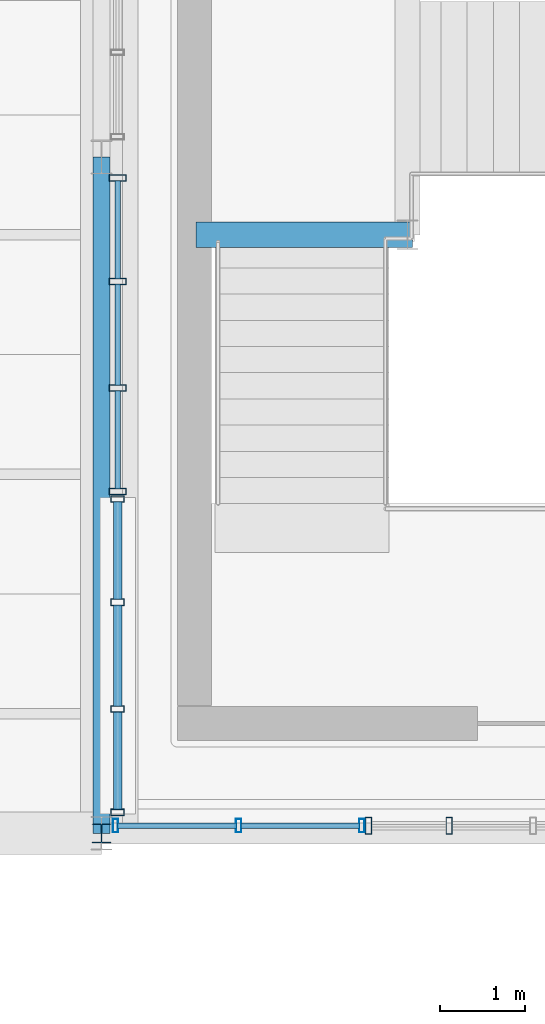
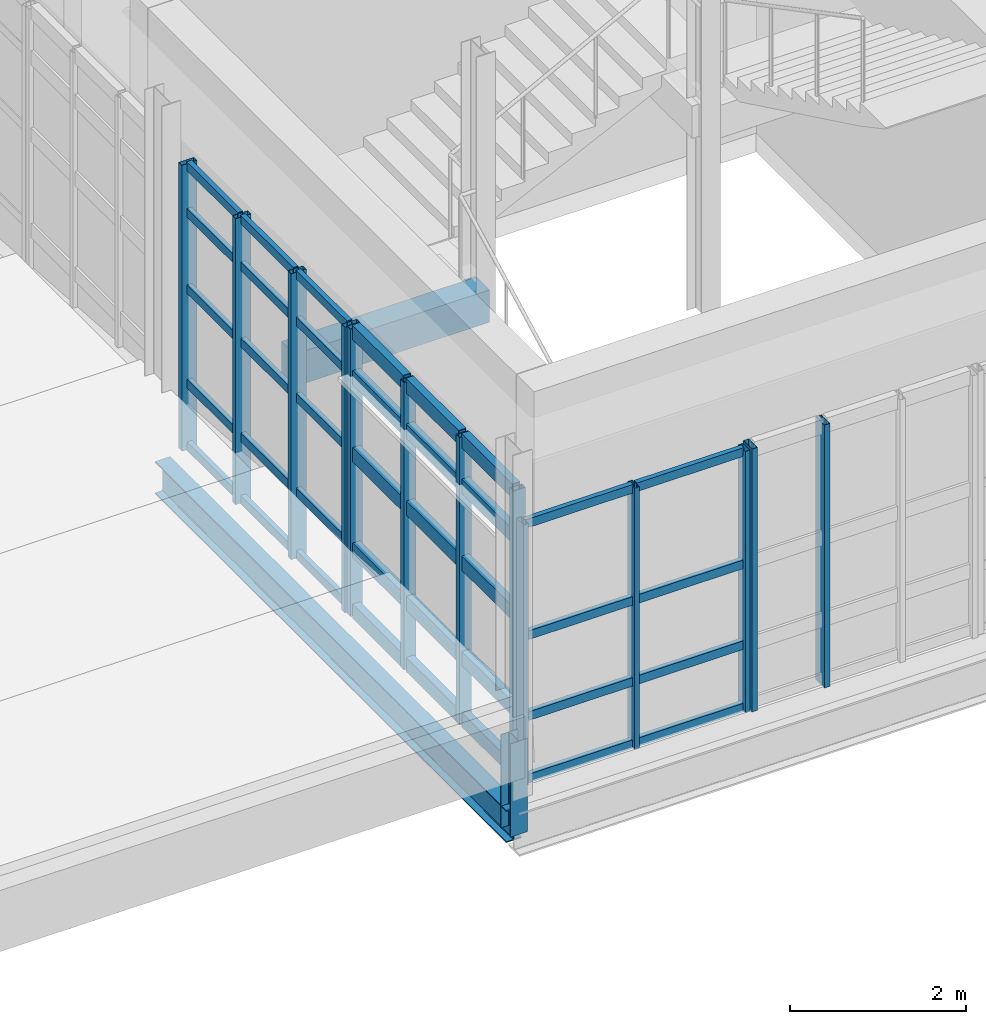
# One storey, part 49 of 100: 52 members, 2 beams, 4 elements without a shape of their own.
"""IFC4 building model written with IfcOpenShell, lengths in metres."""

from ifc_helpers import new_model, si_unit, derived_unit, direction, frame, origin, origin_2d, place, context, subcontext, project, spatial, rectangle, hollow_rectangle, i_section, extrude, material, layer, layer_set, material_profile, profile_set, type_object, element, aggregate, save


model = new_model("IFC4")

# Units and contexts
model_context = context("Model", 3, precision=1e-05, world=origin(), true_north=direction((0.0, 1.0)))
body_context = subcontext(model_context, "Body", "Model", "MODEL_VIEW")
ifc_project = project(units=[si_unit("LENGTHUNIT", "METRE"), si_unit("AREAUNIT", "SQUARE_METRE"), si_unit("VOLUMEUNIT", "CUBIC_METRE"), si_unit("PLANEANGLEUNIT", "RADIAN"), si_unit("MASSUNIT", "GRAM", prefix="KILO"), derived_unit("THERMALTRANSMITTANCEUNIT", [(si_unit("POWERUNIT", "WATT"), 1), (si_unit("LENGTHUNIT", "METRE"), -2), (si_unit("THERMODYNAMICTEMPERATUREUNIT", "KELVIN"), -1)])], contexts=[model_context])

# Site, building, storey
site_placement = place(None, origin())
site = spatial("IfcSite", under=ifc_project, at=site_placement, CompositionType="ELEMENT")
building_placement = place(site_placement, origin())
building = spatial("IfcBuilding", under=site, at=building_placement, Name="Nallur Shell Playhouse", CompositionType="ELEMENT")
storey_placement = place(building_placement, frame((0.0, 0.0, 10.199951171875)))
storey = spatial("IfcBuildingStorey", under=building, at=storey_placement, Name="L03", CompositionType="ELEMENT", Elevation=10.199951171875)

# Beams
ifc_material_1 = material(Name="Concrete M35", Category="concrete")
ifc_material_profile_1 = material_profile(ifc_material_1, rectangle(XDim=0.300048828125, YDim=0.449951171875, at=origin_2d()), Name="RC 300x450")
ifc_profile_set_1 = profile_set([ifc_material_profile_1], Name="Concrete M35")
beam_type_1 = type_object("IfcBeamType", Name="BM-SPN-300x450", PredefinedType="SPANDREL", material=ifc_profile_set_1)
beam_1_placement = place(storey_placement, frame((148.719970703125, 31.080078125, 1.22509765625), z_axis=(1.0, 0.0, 0.0), x_axis=(0.0, 1.0, 0.0)))
element("IfcBeam", 1, at=beam_1_placement, inside=storey, type_object=beam_type_1, Name="Stair ST-08-L03 L1 south bearer beam", PredefinedType="SPANDREL", context=body_context, shape_type="SweptSolid", body=[
    extrude(rectangle(XDim=0.300048828125, YDim=0.449951171875, at=origin_2d()), origin(), (0.0, 0.0, 1.0), 2.56005859375),
])
ifc_material_2 = material(Name="Steel E350", Category="steel")
ifc_material_profile_2 = material_profile(ifc_material_2, i_section(OverallWidth=0.199951171875, OverallDepth=0.449951171875, WebThickness=0.00927734375, FlangeThickness=0.015380859375, FilletRadius=0.013916015625, at=origin_2d()), Name="ISWB 450")
ifc_profile_set_2 = profile_set([ifc_material_profile_2], Name="Steel E350")
beam_type_2 = type_object("IfcBeamType", Name="BM-ST-ISWB450", PredefinedType="BEAM", material=ifc_profile_set_2)
beam_2_placement = place(storey_placement, frame((147.60009765625, 24.0, -0.48486328125), z_axis=(0.0, 1.0, 0.0), x_axis=(-1.0, 0.0, 0.0)))
element("IfcBeam", 2, at=beam_2_placement, inside=storey, type_object=beam_type_2, Name="L03 girder Y-18-676", PredefinedType="BEAM", context=body_context, shape_type="SweptSolid", body=[
    extrude(i_section(OverallWidth=0.199951171875, OverallDepth=0.449951171875, WebThickness=0.00927734375, FlangeThickness=0.015380859375, FilletRadius=0.013916015625, at=origin_2d()), origin(), (0.0, 0.0, 1.0), 8.0),
])

# Curtain wall, members
ifc_material_3 = material(Name="Anodised Aluminium Double-Glazed Facade System", Category="aluminium")
ifc_layer_1 = layer(ifc_material_3, 0.176025390625)
ifc_layer_set_1 = layer_set([ifc_layer_1], Name="Anodised Aluminium Double-Glazed Facade System")
curtain_wall_type_1 = type_object("IfcCurtainWallType", Name="CW-UNIT-28", PredefinedType="NOTDEFINED", material=ifc_layer_set_1)
curtain_wall_1_placement = place(storey_placement, origin())
curtain_wall_1 = element("IfcCurtainWall", 3, at=curtain_wall_1_placement, inside=storey, type_object=curtain_wall_type_1, Name="Unitised curtain wall CW-092 (L03)", PredefinedType="NOTDEFINED")
ifc_material_4 = material(Name="Aluminium Alloy 6063-T6 Mullion", Category="aluminium")
ifc_material_profile_3 = material_profile(ifc_material_4, hollow_rectangle(XDim=0.080078125, YDim=0.159912109375, WallThickness=0.006103515625, at=origin_2d()), Name="RHS 160x80x6")
ifc_profile_set_3 = profile_set([ifc_material_profile_3], Name="Aluminium Alloy 6063-T6 Mullion")
member_type_1 = type_object("IfcMemberType", Name="MB-CW-MUL150", PredefinedType="MULLION", material=ifc_profile_set_3)
member_1_placement = place(storey_placement, frame((147.7900390625, 24.248046875, -0.014892578125), z_axis=(0.0, 0.0, 1.0), x_axis=(0.0, 1.0, 0.0)))
member_1 = element("IfcMember", 4, at=member_1_placement, type_object=member_type_1, Name="CW-28 mullion 1", PredefinedType="MULLION", context=body_context, shape_type="SweptSolid", body=[
    extrude(hollow_rectangle(XDim=0.080078125, YDim=0.159912109375, WallThickness=0.006103515625, at=origin_2d()), origin(), (0.0, 0.0, 1.0), 3.993896484375),
])
member_2_placement = place(storey_placement, frame((147.7900390625, 25.47021484375, -0.014892578125), z_axis=(0.0, 0.0, 1.0), x_axis=(0.0, 1.0, 0.0)))
member_2 = element("IfcMember", 5, at=member_2_placement, type_object=member_type_1, Name="CW-28 mullion 2", PredefinedType="MULLION", context=body_context, shape_type="SweptSolid", body=[
    extrude(hollow_rectangle(XDim=0.080078125, YDim=0.159912109375, WallThickness=0.006103515625, at=origin_2d()), origin(), (0.0, 0.0, 1.0), 3.993896484375),
])
member_3_placement = place(storey_placement, frame((147.7900390625, 26.732666015625, -0.014892578125), z_axis=(0.0, 0.0, 1.0), x_axis=(0.0, 1.0, 0.0)))
member_3 = element("IfcMember", 6, at=member_3_placement, type_object=member_type_1, Name="CW-28 mullion 3", PredefinedType="MULLION", context=body_context, shape_type="SweptSolid", body=[
    extrude(hollow_rectangle(XDim=0.080078125, YDim=0.159912109375, WallThickness=0.006103515625, at=origin_2d()), origin(), (0.0, 0.0, 1.0), 3.993896484375),
])
member_4_placement = place(storey_placement, frame((147.7900390625, 27.955078125, -0.014892578125), z_axis=(0.0, 0.0, 1.0), x_axis=(0.0, 1.0, 0.0)))
member_4 = element("IfcMember", 7, at=member_4_placement, type_object=member_type_1, Name="CW-28 mullion 4", PredefinedType="MULLION", context=body_context, shape_type="SweptSolid", body=[
    extrude(hollow_rectangle(XDim=0.080078125, YDim=0.159912109375, WallThickness=0.006103515625, at=origin_2d()), origin(), (0.0, 0.0, 1.0), 3.993896484375),
])

ifc_layer_2 = layer(ifc_material_3, 0.172119140625)
ifc_layer_set_2 = layer_set([ifc_layer_2], Name="Anodised Aluminium Double-Glazed Facade System")
curtain_wall_type_2 = type_object("IfcCurtainWallType", Name="CW-UNIT-27", PredefinedType="NOTDEFINED", material=ifc_layer_set_2)
curtain_wall_2_placement = place(storey_placement, origin())
curtain_wall_2 = element("IfcCurtainWall", 8, at=curtain_wall_2_placement, inside=storey, type_object=curtain_wall_type_2, Name="Unitised curtain wall CW-091 (L03)", PredefinedType="NOTDEFINED")
ifc_material_profile_4 = material_profile(ifc_material_4, hollow_rectangle(XDim=0.06494140625, YDim=0.159912109375, WallThickness=0.00390625, at=origin_2d()), Name="ALU 65x160x4")
ifc_profile_set_4 = profile_set([ifc_material_profile_4], Name="Aluminium Alloy 6063-T6 Mullion")
member_type_2 = type_object("IfcMemberType", Name="MB-CW-MUL160", PredefinedType="MULLION", material=ifc_profile_set_4)
member_5_placement = place(storey_placement, frame((150.678955078125, 24.090087890625, -0.014892578125), z_axis=(0.0, 0.0, 1.0), x_axis=(-1.0, 0.0, 0.0)))
member_5 = element("IfcMember", 9, at=member_5_placement, type_object=member_type_2, Name="CW-27 mullion 1", PredefinedType="MULLION", context=body_context, shape_type="SweptSolid", body=[
    extrude(hollow_rectangle(XDim=0.06494140625, YDim=0.159912109375, WallThickness=0.00390625, at=origin_2d()), origin(), (0.0, 0.0, 1.0), 3.634033203125),
])
member_6_placement = place(storey_placement, frame((149.22216796875, 24.090087890625, -0.014892578125), z_axis=(0.0, 0.0, 1.0), x_axis=(-1.0, 0.0, 0.0)))
member_6 = element("IfcMember", 10, at=member_6_placement, type_object=member_type_2, Name="CW-27 mullion 2", PredefinedType="MULLION", context=body_context, shape_type="SweptSolid", body=[
    extrude(hollow_rectangle(XDim=0.06494140625, YDim=0.159912109375, WallThickness=0.00390625, at=origin_2d()), origin(), (0.0, 0.0, 1.0), 3.634033203125),
])
member_7_placement = place(storey_placement, frame((147.765380859375, 24.090087890625, -0.014892578125), z_axis=(0.0, 0.0, 1.0), x_axis=(-1.0, 0.0, 0.0)))
member_7 = element("IfcMember", 11, at=member_7_placement, type_object=member_type_2, Name="CW-27 mullion 3", PredefinedType="MULLION", context=body_context, shape_type="SweptSolid", body=[
    extrude(hollow_rectangle(XDim=0.06494140625, YDim=0.159912109375, WallThickness=0.00390625, at=origin_2d()), origin(), (0.0, 0.0, 1.0), 3.634033203125),
])

ifc_layer_3 = layer(ifc_material_3, 0.16796875)
ifc_layer_set_3 = layer_set([ifc_layer_3], Name="Anodised Aluminium Double-Glazed Facade System")
curtain_wall_type_3 = type_object("IfcCurtainWallType", Name="CW-UNIT-26", PredefinedType="NOTDEFINED", material=ifc_layer_set_3)
curtain_wall_3_placement = place(storey_placement, origin())
curtain_wall_3 = element("IfcCurtainWall", 12, at=curtain_wall_3_placement, inside=storey, type_object=curtain_wall_type_3, Name="Unitised curtain wall CW-090 (L03)", PredefinedType="NOTDEFINED")
ifc_material_profile_5 = material_profile(ifc_material_4, hollow_rectangle(XDim=0.074951171875, YDim=0.199951171875, WallThickness=0.0048828125, at=origin_2d()), Name="ALU 75x200x5")
ifc_profile_set_5 = profile_set([ifc_material_profile_5], Name="Aluminium Alloy 6063-T6 Mullion")
member_type_3 = type_object("IfcMemberType", Name="MB-CW-MUL180", PredefinedType="MULLION", material=ifc_profile_set_5)
member_8_placement = place(storey_placement, frame((151.712646484375, 24.090087890625, -0.014892578125), z_axis=(0.0, 0.0, 1.0), x_axis=(-1.0, 0.0, 0.0)))
member_8 = element("IfcMember", 13, at=member_8_placement, type_object=member_type_3, Name="CW-26 mullion 3", PredefinedType="MULLION", context=body_context, shape_type="SweptSolid", body=[
    extrude(hollow_rectangle(XDim=0.074951171875, YDim=0.199951171875, WallThickness=0.0048828125, at=origin_2d()), origin(), (0.0, 0.0, 1.0), 3.654052734375),
])
member_9_placement = place(storey_placement, frame((150.759033203125, 24.090087890625, -0.014892578125), z_axis=(0.0, 0.0, 1.0), x_axis=(-1.0, 0.0, 0.0)))
member_9 = element("IfcMember", 14, at=member_9_placement, type_object=member_type_3, Name="CW-26 mullion 4", PredefinedType="MULLION", context=body_context, shape_type="SweptSolid", body=[
    extrude(hollow_rectangle(XDim=0.074951171875, YDim=0.199951171875, WallThickness=0.0048828125, at=origin_2d()), origin(), (0.0, 0.0, 1.0), 3.654052734375),
])
aggregate(curtain_wall_3, [member_8, member_9])

ifc_layer_4 = layer(ifc_material_3, 0.179931640625)
ifc_layer_set_4 = layer_set([ifc_layer_4], Name="Anodised Aluminium Double-Glazed Facade System")
curtain_wall_type_4 = type_object("IfcCurtainWallType", Name="CW-UNIT-29", PredefinedType="NOTDEFINED", material=ifc_layer_set_4)
curtain_wall_4_placement = place(storey_placement, origin())
curtain_wall_4 = element("IfcCurtainWall", 15, at=curtain_wall_4_placement, inside=storey, type_object=curtain_wall_type_4, Name="Unitised curtain wall CW-093 (L03)", PredefinedType="NOTDEFINED")
member_10_placement = place(storey_placement, frame((147.7900390625, 28.04248046875, -0.014892578125), z_axis=(0.0, 0.0, 1.0), x_axis=(0.0, 1.0, 0.0)))
member_10 = element("IfcMember", 16, at=member_10_placement, type_object=member_type_3, Name="CW-29 mullion 1", PredefinedType="MULLION", context=body_context, shape_type="SweptSolid", body=[
    extrude(hollow_rectangle(XDim=0.074951171875, YDim=0.199951171875, WallThickness=0.0048828125, at=origin_2d()), origin(), (0.0, 0.0, 1.0), 3.973876953125),
])
member_11_placement = place(storey_placement, frame((147.7900390625, 29.267333984375, -0.014892578125), z_axis=(0.0, 0.0, 1.0), x_axis=(0.0, 1.0, 0.0)))
member_11 = element("IfcMember", 17, at=member_11_placement, type_object=member_type_3, Name="CW-29 mullion 2", PredefinedType="MULLION", context=body_context, shape_type="SweptSolid", body=[
    extrude(hollow_rectangle(XDim=0.074951171875, YDim=0.199951171875, WallThickness=0.0048828125, at=origin_2d()), origin(), (0.0, 0.0, 1.0), 3.973876953125),
])
member_12_placement = place(storey_placement, frame((147.7900390625, 30.52978515625, -0.014892578125), z_axis=(0.0, 0.0, 1.0), x_axis=(0.0, 1.0, 0.0)))
member_12 = element("IfcMember", 18, at=member_12_placement, type_object=member_type_3, Name="CW-29 mullion 3", PredefinedType="MULLION", context=body_context, shape_type="SweptSolid", body=[
    extrude(hollow_rectangle(XDim=0.074951171875, YDim=0.199951171875, WallThickness=0.0048828125, at=origin_2d()), origin(), (0.0, 0.0, 1.0), 3.973876953125),
])
member_13_placement = place(storey_placement, frame((147.7900390625, 31.75439453125, -0.014892578125), z_axis=(0.0, 0.0, 1.0), x_axis=(0.0, 1.0, 0.0)))
member_13 = element("IfcMember", 19, at=member_13_placement, type_object=member_type_3, Name="CW-29 mullion 4", PredefinedType="MULLION", context=body_context, shape_type="SweptSolid", body=[
    extrude(hollow_rectangle(XDim=0.074951171875, YDim=0.199951171875, WallThickness=0.0048828125, at=origin_2d()), origin(), (0.0, 0.0, 1.0), 3.973876953125),
])

# Member
ifc_material_5 = material(Name="Aluminium Alloy 6063-T6 Transom", Category="aluminium")
ifc_material_profile_6 = material_profile(ifc_material_5, hollow_rectangle(XDim=0.06494140625, YDim=0.1201171875, WallThickness=0.00390625, at=origin_2d()), Name="ALU 65x120x4")
ifc_profile_set_6 = profile_set([ifc_material_profile_6], Name="Aluminium Alloy 6063-T6 Transom")
member_type_4 = type_object("IfcMemberType", Name="MB-CW-TRN120", PredefinedType="USERDEFINED", material=ifc_profile_set_6)
member_14_placement = place(storey_placement, frame((150.654541015625, 24.090087890625, 0.032470703125), z_axis=(-1.0, 0.0, 0.0), x_axis=(0.0, -1.0, 0.0)))
member_14 = element("IfcMember", 20, at=member_14_placement, type_object=member_type_4, Name="CW-27 transom 1.1", ObjectType="TRANSOM", PredefinedType="USERDEFINED", context=body_context, shape_type="SweptSolid", body=[
    extrude(hollow_rectangle(XDim=0.06494140625, YDim=0.1201171875, WallThickness=0.00390625, at=origin_2d()), origin(), (0.0, 0.0, 1.0), 1.40771484375),
])

member_15_placement = place(storey_placement, frame((150.654541015625, 24.090087890625, 0.900146484375), z_axis=(-1.0, 0.0, 0.0), x_axis=(0.0, -1.0, 0.0)))
member_15 = element("IfcMember", 21, at=member_15_placement, type_object=member_type_4, Name="CW-27 transom 1.2", ObjectType="TRANSOM", PredefinedType="USERDEFINED", context=body_context, shape_type="SweptSolid", body=[
    extrude(hollow_rectangle(XDim=0.06494140625, YDim=0.1201171875, WallThickness=0.00390625, at=origin_2d()), origin(), (0.0, 0.0, 1.0), 1.40771484375),
])

member_16_placement = place(storey_placement, frame((150.654541015625, 24.090087890625, 2.024169921875), z_axis=(-1.0, 0.0, 0.0), x_axis=(0.0, -1.0, 0.0)))
member_16 = element("IfcMember", 22, at=member_16_placement, type_object=member_type_4, Name="CW-27 transom 1.3", ObjectType="TRANSOM", PredefinedType="USERDEFINED", context=body_context, shape_type="SweptSolid", body=[
    extrude(hollow_rectangle(XDim=0.06494140625, YDim=0.1201171875, WallThickness=0.00390625, at=origin_2d()), origin(), (0.0, 0.0, 1.0), 1.40771484375),
])

member_17_placement = place(storey_placement, frame((150.654541015625, 24.090087890625, 3.58251953125), z_axis=(-1.0, 0.0, 0.0), x_axis=(0.0, -1.0, 0.0)))
member_17 = element("IfcMember", 23, at=member_17_placement, type_object=member_type_4, Name="CW-27 transom 1.4", ObjectType="TRANSOM", PredefinedType="USERDEFINED", context=body_context, shape_type="SweptSolid", body=[
    extrude(hollow_rectangle(XDim=0.06494140625, YDim=0.1201171875, WallThickness=0.00390625, at=origin_2d()), origin(), (0.0, 0.0, 1.0), 1.40771484375),
])

member_18_placement = place(storey_placement, frame((149.19775390625, 24.090087890625, 0.032470703125), z_axis=(-1.0, 0.0, 0.0), x_axis=(0.0, -1.0, 0.0)))
member_18 = element("IfcMember", 24, at=member_18_placement, type_object=member_type_4, Name="CW-27 transom 2.1", ObjectType="TRANSOM", PredefinedType="USERDEFINED", context=body_context, shape_type="SweptSolid", body=[
    extrude(hollow_rectangle(XDim=0.06494140625, YDim=0.1201171875, WallThickness=0.00390625, at=origin_2d()), origin(), (0.0, 0.0, 1.0), 1.40771484375),
])

member_19_placement = place(storey_placement, frame((149.19775390625, 24.090087890625, 0.900146484375), z_axis=(-1.0, 0.0, 0.0), x_axis=(0.0, -1.0, 0.0)))
member_19 = element("IfcMember", 25, at=member_19_placement, type_object=member_type_4, Name="CW-27 transom 2.2", ObjectType="TRANSOM", PredefinedType="USERDEFINED", context=body_context, shape_type="SweptSolid", body=[
    extrude(hollow_rectangle(XDim=0.06494140625, YDim=0.1201171875, WallThickness=0.00390625, at=origin_2d()), origin(), (0.0, 0.0, 1.0), 1.40771484375),
])

member_20_placement = place(storey_placement, frame((149.19775390625, 24.090087890625, 2.024169921875), z_axis=(-1.0, 0.0, 0.0), x_axis=(0.0, -1.0, 0.0)))
member_20 = element("IfcMember", 26, at=member_20_placement, type_object=member_type_4, Name="CW-27 transom 2.3", ObjectType="TRANSOM", PredefinedType="USERDEFINED", context=body_context, shape_type="SweptSolid", body=[
    extrude(hollow_rectangle(XDim=0.06494140625, YDim=0.1201171875, WallThickness=0.00390625, at=origin_2d()), origin(), (0.0, 0.0, 1.0), 1.40771484375),
])

member_21_placement = place(storey_placement, frame((149.19775390625, 24.090087890625, 3.58251953125), z_axis=(-1.0, 0.0, 0.0), x_axis=(0.0, -1.0, 0.0)))
member_21 = element("IfcMember", 27, at=member_21_placement, type_object=member_type_4, Name="CW-27 transom 2.4", ObjectType="TRANSOM", PredefinedType="USERDEFINED", context=body_context, shape_type="SweptSolid", body=[
    extrude(hollow_rectangle(XDim=0.06494140625, YDim=0.1201171875, WallThickness=0.00390625, at=origin_2d()), origin(), (0.0, 0.0, 1.0), 1.40771484375),
])

aggregate(curtain_wall_2, [member_5, member_6, member_7, member_14, member_15, member_16, member_17, member_18, member_19, member_20, member_21])

member_22_placement = place(storey_placement, frame((147.7900390625, 28.072021484375, 0.032470703125), z_axis=(0.0, 1.0, 0.0), x_axis=(-1.0, 0.0, 0.0)))
member_22 = element("IfcMember", 28, at=member_22_placement, type_object=member_type_4, Name="CW-29 transom 1.1", ObjectType="TRANSOM", PredefinedType="USERDEFINED", context=body_context, shape_type="SweptSolid", body=[
    extrude(hollow_rectangle(XDim=0.06494140625, YDim=0.1201171875, WallThickness=0.00390625, at=origin_2d()), origin(), (0.0, 0.0, 1.0), 1.165771484375),
])

member_23_placement = place(storey_placement, frame((147.7900390625, 28.072021484375, 0.900146484375), z_axis=(0.0, 1.0, 0.0), x_axis=(-1.0, 0.0, 0.0)))
member_23 = element("IfcMember", 29, at=member_23_placement, type_object=member_type_4, Name="CW-29 transom 1.2", ObjectType="TRANSOM", PredefinedType="USERDEFINED", context=body_context, shape_type="SweptSolid", body=[
    extrude(hollow_rectangle(XDim=0.06494140625, YDim=0.1201171875, WallThickness=0.00390625, at=origin_2d()), origin(), (0.0, 0.0, 1.0), 1.165771484375),
])

member_24_placement = place(storey_placement, frame((147.7900390625, 28.072021484375, 2.215087890625), z_axis=(0.0, 1.0, 0.0), x_axis=(-1.0, 0.0, 0.0)))
member_24 = element("IfcMember", 30, at=member_24_placement, type_object=member_type_4, Name="CW-29 transom 1.3", ObjectType="TRANSOM", PredefinedType="USERDEFINED", context=body_context, shape_type="SweptSolid", body=[
    extrude(hollow_rectangle(XDim=0.06494140625, YDim=0.1201171875, WallThickness=0.00390625, at=origin_2d()), origin(), (0.0, 0.0, 1.0), 1.165771484375),
])

member_25_placement = place(storey_placement, frame((147.7900390625, 28.072021484375, 3.275146484375), z_axis=(0.0, 1.0, 0.0), x_axis=(-1.0, 0.0, 0.0)))
member_25 = element("IfcMember", 31, at=member_25_placement, type_object=member_type_4, Name="CW-29 transom 1.4", ObjectType="TRANSOM", PredefinedType="USERDEFINED", context=body_context, shape_type="SweptSolid", body=[
    extrude(hollow_rectangle(XDim=0.06494140625, YDim=0.1201171875, WallThickness=0.00390625, at=origin_2d()), origin(), (0.0, 0.0, 1.0), 1.165771484375),
])

member_26_placement = place(storey_placement, frame((147.7900390625, 28.072021484375, 3.922607421875), z_axis=(0.0, 1.0, 0.0), x_axis=(-1.0, 0.0, 0.0)))
member_26 = element("IfcMember", 32, at=member_26_placement, type_object=member_type_4, Name="CW-29 transom 1.5", ObjectType="TRANSOM", PredefinedType="USERDEFINED", context=body_context, shape_type="SweptSolid", body=[
    extrude(hollow_rectangle(XDim=0.06494140625, YDim=0.1201171875, WallThickness=0.00390625, at=origin_2d()), origin(), (0.0, 0.0, 1.0), 1.165771484375),
])

member_27_placement = place(storey_placement, frame((147.7900390625, 29.296875, 0.032470703125), z_axis=(0.0, 1.0, 0.0), x_axis=(-1.0, 0.0, 0.0)))
member_27 = element("IfcMember", 33, at=member_27_placement, type_object=member_type_4, Name="CW-29 transom 2.1", ObjectType="TRANSOM", PredefinedType="USERDEFINED", context=body_context, shape_type="SweptSolid", body=[
    extrude(hollow_rectangle(XDim=0.06494140625, YDim=0.1201171875, WallThickness=0.00390625, at=origin_2d()), origin(), (0.0, 0.0, 1.0), 1.203369140625),
])

member_28_placement = place(storey_placement, frame((147.7900390625, 29.296875, 0.900146484375), z_axis=(0.0, 1.0, 0.0), x_axis=(-1.0, 0.0, 0.0)))
member_28 = element("IfcMember", 34, at=member_28_placement, type_object=member_type_4, Name="CW-29 transom 2.2", ObjectType="TRANSOM", PredefinedType="USERDEFINED", context=body_context, shape_type="SweptSolid", body=[
    extrude(hollow_rectangle(XDim=0.06494140625, YDim=0.1201171875, WallThickness=0.00390625, at=origin_2d()), origin(), (0.0, 0.0, 1.0), 1.203369140625),
])

member_29_placement = place(storey_placement, frame((147.7900390625, 29.296875, 2.215087890625), z_axis=(0.0, 1.0, 0.0), x_axis=(-1.0, 0.0, 0.0)))
member_29 = element("IfcMember", 35, at=member_29_placement, type_object=member_type_4, Name="CW-29 transom 2.3", ObjectType="TRANSOM", PredefinedType="USERDEFINED", context=body_context, shape_type="SweptSolid", body=[
    extrude(hollow_rectangle(XDim=0.06494140625, YDim=0.1201171875, WallThickness=0.00390625, at=origin_2d()), origin(), (0.0, 0.0, 1.0), 1.203369140625),
])

member_30_placement = place(storey_placement, frame((147.7900390625, 29.296875, 3.275146484375), z_axis=(0.0, 1.0, 0.0), x_axis=(-1.0, 0.0, 0.0)))
member_30 = element("IfcMember", 36, at=member_30_placement, type_object=member_type_4, Name="CW-29 transom 2.4", ObjectType="TRANSOM", PredefinedType="USERDEFINED", context=body_context, shape_type="SweptSolid", body=[
    extrude(hollow_rectangle(XDim=0.06494140625, YDim=0.1201171875, WallThickness=0.00390625, at=origin_2d()), origin(), (0.0, 0.0, 1.0), 1.203369140625),
])

member_31_placement = place(storey_placement, frame((147.7900390625, 29.296875, 3.922607421875), z_axis=(0.0, 1.0, 0.0), x_axis=(-1.0, 0.0, 0.0)))
member_31 = element("IfcMember", 37, at=member_31_placement, type_object=member_type_4, Name="CW-29 transom 2.5", ObjectType="TRANSOM", PredefinedType="USERDEFINED", context=body_context, shape_type="SweptSolid", body=[
    extrude(hollow_rectangle(XDim=0.06494140625, YDim=0.1201171875, WallThickness=0.00390625, at=origin_2d()), origin(), (0.0, 0.0, 1.0), 1.203369140625),
])

member_32_placement = place(storey_placement, frame((147.7900390625, 30.55908203125, 0.032470703125), z_axis=(0.0, 1.0, 0.0), x_axis=(-1.0, 0.0, 0.0)))
member_32 = element("IfcMember", 38, at=member_32_placement, type_object=member_type_4, Name="CW-29 transom 3.1", ObjectType="TRANSOM", PredefinedType="USERDEFINED", context=body_context, shape_type="SweptSolid", body=[
    extrude(hollow_rectangle(XDim=0.06494140625, YDim=0.1201171875, WallThickness=0.00390625, at=origin_2d()), origin(), (0.0, 0.0, 1.0), 1.166015625),
])

member_33_placement = place(storey_placement, frame((147.7900390625, 30.55908203125, 0.900146484375), z_axis=(0.0, 1.0, 0.0), x_axis=(-1.0, 0.0, 0.0)))
member_33 = element("IfcMember", 39, at=member_33_placement, type_object=member_type_4, Name="CW-29 transom 3.2", ObjectType="TRANSOM", PredefinedType="USERDEFINED", context=body_context, shape_type="SweptSolid", body=[
    extrude(hollow_rectangle(XDim=0.06494140625, YDim=0.1201171875, WallThickness=0.00390625, at=origin_2d()), origin(), (0.0, 0.0, 1.0), 1.166015625),
])

member_34_placement = place(storey_placement, frame((147.7900390625, 30.55908203125, 2.215087890625), z_axis=(0.0, 1.0, 0.0), x_axis=(-1.0, 0.0, 0.0)))
member_34 = element("IfcMember", 40, at=member_34_placement, type_object=member_type_4, Name="CW-29 transom 3.3", ObjectType="TRANSOM", PredefinedType="USERDEFINED", context=body_context, shape_type="SweptSolid", body=[
    extrude(hollow_rectangle(XDim=0.06494140625, YDim=0.1201171875, WallThickness=0.00390625, at=origin_2d()), origin(), (0.0, 0.0, 1.0), 1.166015625),
])

member_35_placement = place(storey_placement, frame((147.7900390625, 30.55908203125, 3.275146484375), z_axis=(0.0, 1.0, 0.0), x_axis=(-1.0, 0.0, 0.0)))
member_35 = element("IfcMember", 41, at=member_35_placement, type_object=member_type_4, Name="CW-29 transom 3.4", ObjectType="TRANSOM", PredefinedType="USERDEFINED", context=body_context, shape_type="SweptSolid", body=[
    extrude(hollow_rectangle(XDim=0.06494140625, YDim=0.1201171875, WallThickness=0.00390625, at=origin_2d()), origin(), (0.0, 0.0, 1.0), 1.166015625),
])

member_36_placement = place(storey_placement, frame((147.7900390625, 30.55908203125, 3.922607421875), z_axis=(0.0, 1.0, 0.0), x_axis=(-1.0, 0.0, 0.0)))
member_36 = element("IfcMember", 42, at=member_36_placement, type_object=member_type_4, Name="CW-29 transom 3.5", ObjectType="TRANSOM", PredefinedType="USERDEFINED", context=body_context, shape_type="SweptSolid", body=[
    extrude(hollow_rectangle(XDim=0.06494140625, YDim=0.1201171875, WallThickness=0.00390625, at=origin_2d()), origin(), (0.0, 0.0, 1.0), 1.166015625),
])

aggregate(curtain_wall_4, [member_10, member_11, member_12, member_13, member_22, member_23, member_24, member_25, member_26, member_27, member_28, member_29, member_30, member_31, member_32, member_33, member_34, member_35, member_36])

ifc_material_profile_7 = material_profile(ifc_material_5, hollow_rectangle(XDim=0.10009765625, YDim=0.199951171875, WallThickness=0.008056640625, at=origin_2d()), Name="RHS 200x100x8")
ifc_profile_set_7 = profile_set([ifc_material_profile_7], Name="Aluminium Alloy 6063-T6 Transom")
member_type_5 = type_object("IfcMemberType", Name="MB-CW-TRN140", PredefinedType="USERDEFINED", material=ifc_profile_set_7)
member_37_placement = place(storey_placement, frame((147.7900390625, 24.280029296875, 0.050048828125), z_axis=(0.0, 1.0, 0.0), x_axis=(-1.0, 0.0, 0.0)))
member_37 = element("IfcMember", 43, at=member_37_placement, type_object=member_type_5, Name="CW-28 transom 1.1", ObjectType="TRANSOM", PredefinedType="USERDEFINED", context=body_context, shape_type="SweptSolid", body=[
    extrude(hollow_rectangle(XDim=0.10009765625, YDim=0.199951171875, WallThickness=0.008056640625, at=origin_2d()), origin(), (0.0, 0.0, 1.0), 1.158203125),
])

member_38_placement = place(storey_placement, frame((147.7900390625, 24.280029296875, 0.900146484375), z_axis=(0.0, 1.0, 0.0), x_axis=(-1.0, 0.0, 0.0)))
member_38 = element("IfcMember", 44, at=member_38_placement, type_object=member_type_5, Name="CW-28 transom 1.2", ObjectType="TRANSOM", PredefinedType="USERDEFINED", context=body_context, shape_type="SweptSolid", body=[
    extrude(hollow_rectangle(XDim=0.10009765625, YDim=0.199951171875, WallThickness=0.008056640625, at=origin_2d()), origin(), (0.0, 0.0, 1.0), 1.158203125),
])

member_39_placement = place(storey_placement, frame((147.7900390625, 24.280029296875, 2.22607421875), z_axis=(0.0, 1.0, 0.0), x_axis=(-1.0, 0.0, 0.0)))
member_39 = element("IfcMember", 45, at=member_39_placement, type_object=member_type_5, Name="CW-28 transom 1.3", ObjectType="TRANSOM", PredefinedType="USERDEFINED", context=body_context, shape_type="SweptSolid", body=[
    extrude(hollow_rectangle(XDim=0.10009765625, YDim=0.199951171875, WallThickness=0.008056640625, at=origin_2d()), origin(), (0.0, 0.0, 1.0), 1.158203125),
])

member_40_placement = place(storey_placement, frame((147.7900390625, 24.280029296875, 3.295166015625), z_axis=(0.0, 1.0, 0.0), x_axis=(-1.0, 0.0, 0.0)))
member_40 = element("IfcMember", 46, at=member_40_placement, type_object=member_type_5, Name="CW-28 transom 1.4", ObjectType="TRANSOM", PredefinedType="USERDEFINED", context=body_context, shape_type="SweptSolid", body=[
    extrude(hollow_rectangle(XDim=0.10009765625, YDim=0.199951171875, WallThickness=0.008056640625, at=origin_2d()), origin(), (0.0, 0.0, 1.0), 1.158203125),
])

member_41_placement = place(storey_placement, frame((147.7900390625, 24.280029296875, 3.925048828125), z_axis=(0.0, 1.0, 0.0), x_axis=(-1.0, 0.0, 0.0)))
member_41 = element("IfcMember", 47, at=member_41_placement, type_object=member_type_5, Name="CW-28 transom 1.5", ObjectType="TRANSOM", PredefinedType="USERDEFINED", context=body_context, shape_type="SweptSolid", body=[
    extrude(hollow_rectangle(XDim=0.10009765625, YDim=0.199951171875, WallThickness=0.008056640625, at=origin_2d()), origin(), (0.0, 0.0, 1.0), 1.158203125),
])

member_42_placement = place(storey_placement, frame((147.7900390625, 25.50244140625, 0.050048828125), z_axis=(0.0, 1.0, 0.0), x_axis=(-1.0, 0.0, 0.0)))
member_42 = element("IfcMember", 48, at=member_42_placement, type_object=member_type_5, Name="CW-28 transom 2.1", ObjectType="TRANSOM", PredefinedType="USERDEFINED", context=body_context, shape_type="SweptSolid", body=[
    extrude(hollow_rectangle(XDim=0.10009765625, YDim=0.199951171875, WallThickness=0.008056640625, at=origin_2d()), origin(), (0.0, 0.0, 1.0), 1.1982421875),
])

member_43_placement = place(storey_placement, frame((147.7900390625, 25.50244140625, 0.900146484375), z_axis=(0.0, 1.0, 0.0), x_axis=(-1.0, 0.0, 0.0)))
member_43 = element("IfcMember", 49, at=member_43_placement, type_object=member_type_5, Name="CW-28 transom 2.2", ObjectType="TRANSOM", PredefinedType="USERDEFINED", context=body_context, shape_type="SweptSolid", body=[
    extrude(hollow_rectangle(XDim=0.10009765625, YDim=0.199951171875, WallThickness=0.008056640625, at=origin_2d()), origin(), (0.0, 0.0, 1.0), 1.1982421875),
])

member_44_placement = place(storey_placement, frame((147.7900390625, 25.50244140625, 2.22607421875), z_axis=(0.0, 1.0, 0.0), x_axis=(-1.0, 0.0, 0.0)))
member_44 = element("IfcMember", 50, at=member_44_placement, type_object=member_type_5, Name="CW-28 transom 2.3", ObjectType="TRANSOM", PredefinedType="USERDEFINED", context=body_context, shape_type="SweptSolid", body=[
    extrude(hollow_rectangle(XDim=0.10009765625, YDim=0.199951171875, WallThickness=0.008056640625, at=origin_2d()), origin(), (0.0, 0.0, 1.0), 1.1982421875),
])

member_45_placement = place(storey_placement, frame((147.7900390625, 25.50244140625, 3.295166015625), z_axis=(0.0, 1.0, 0.0), x_axis=(-1.0, 0.0, 0.0)))
member_45 = element("IfcMember", 51, at=member_45_placement, type_object=member_type_5, Name="CW-28 transom 2.4", ObjectType="TRANSOM", PredefinedType="USERDEFINED", context=body_context, shape_type="SweptSolid", body=[
    extrude(hollow_rectangle(XDim=0.10009765625, YDim=0.199951171875, WallThickness=0.008056640625, at=origin_2d()), origin(), (0.0, 0.0, 1.0), 1.1982421875),
])

member_46_placement = place(storey_placement, frame((147.7900390625, 25.50244140625, 3.925048828125), z_axis=(0.0, 1.0, 0.0), x_axis=(-1.0, 0.0, 0.0)))
member_46 = element("IfcMember", 52, at=member_46_placement, type_object=member_type_5, Name="CW-28 transom 2.5", ObjectType="TRANSOM", PredefinedType="USERDEFINED", context=body_context, shape_type="SweptSolid", body=[
    extrude(hollow_rectangle(XDim=0.10009765625, YDim=0.199951171875, WallThickness=0.008056640625, at=origin_2d()), origin(), (0.0, 0.0, 1.0), 1.1982421875),
])

member_47_placement = place(storey_placement, frame((147.7900390625, 26.7646484375, 0.050048828125), z_axis=(0.0, 1.0, 0.0), x_axis=(-1.0, 0.0, 0.0)))
member_47 = element("IfcMember", 53, at=member_47_placement, type_object=member_type_5, Name="CW-28 transom 3.1", ObjectType="TRANSOM", PredefinedType="USERDEFINED", context=body_context, shape_type="SweptSolid", body=[
    extrude(hollow_rectangle(XDim=0.10009765625, YDim=0.199951171875, WallThickness=0.008056640625, at=origin_2d()), origin(), (0.0, 0.0, 1.0), 1.158447265625),
])

member_48_placement = place(storey_placement, frame((147.7900390625, 26.7646484375, 0.900146484375), z_axis=(0.0, 1.0, 0.0), x_axis=(-1.0, 0.0, 0.0)))
member_48 = element("IfcMember", 54, at=member_48_placement, type_object=member_type_5, Name="CW-28 transom 3.2", ObjectType="TRANSOM", PredefinedType="USERDEFINED", context=body_context, shape_type="SweptSolid", body=[
    extrude(hollow_rectangle(XDim=0.10009765625, YDim=0.199951171875, WallThickness=0.008056640625, at=origin_2d()), origin(), (0.0, 0.0, 1.0), 1.158447265625),
])

member_49_placement = place(storey_placement, frame((147.7900390625, 26.7646484375, 2.22607421875), z_axis=(0.0, 1.0, 0.0), x_axis=(-1.0, 0.0, 0.0)))
member_49 = element("IfcMember", 55, at=member_49_placement, type_object=member_type_5, Name="CW-28 transom 3.3", ObjectType="TRANSOM", PredefinedType="USERDEFINED", context=body_context, shape_type="SweptSolid", body=[
    extrude(hollow_rectangle(XDim=0.10009765625, YDim=0.199951171875, WallThickness=0.008056640625, at=origin_2d()), origin(), (0.0, 0.0, 1.0), 1.158447265625),
])

member_50_placement = place(storey_placement, frame((147.7900390625, 26.7646484375, 3.295166015625), z_axis=(0.0, 1.0, 0.0), x_axis=(-1.0, 0.0, 0.0)))
member_50 = element("IfcMember", 56, at=member_50_placement, type_object=member_type_5, Name="CW-28 transom 3.4", ObjectType="TRANSOM", PredefinedType="USERDEFINED", context=body_context, shape_type="SweptSolid", body=[
    extrude(hollow_rectangle(XDim=0.10009765625, YDim=0.199951171875, WallThickness=0.008056640625, at=origin_2d()), origin(), (0.0, 0.0, 1.0), 1.158447265625),
])

member_51_placement = place(storey_placement, frame((147.7900390625, 26.7646484375, 3.925048828125), z_axis=(0.0, 1.0, 0.0), x_axis=(-1.0, 0.0, 0.0)))
member_51 = element("IfcMember", 57, at=member_51_placement, type_object=member_type_5, Name="CW-28 transom 3.5", ObjectType="TRANSOM", PredefinedType="USERDEFINED", context=body_context, shape_type="SweptSolid", body=[
    extrude(hollow_rectangle(XDim=0.10009765625, YDim=0.199951171875, WallThickness=0.008056640625, at=origin_2d()), origin(), (0.0, 0.0, 1.0), 1.158447265625),
])

aggregate(curtain_wall_1, [member_1, member_2, member_3, member_4, member_37, member_38, member_39, member_40, member_41, member_42, member_43, member_44, member_45, member_46, member_47, member_48, member_49, member_50, member_51])

ifc_material_profile_8 = material_profile(ifc_material_2, i_section(OverallWidth=0.22509765625, OverallDepth=0.22509765625, WebThickness=0.008544921875, FlangeThickness=0.009033203125, FilletRadius=0.010009765625, at=origin_2d()), Name="ISHB 225")
ifc_profile_set_8 = profile_set([ifc_material_profile_8], Name="Steel E350")
member_type_6 = type_object("IfcMemberType", Name="MB-TR-POST", PredefinedType="POST", material=ifc_profile_set_8)
member_52_placement = place(storey_placement, frame((147.60009765625, 24.0, -0.56005859375), z_axis=(0.0, 0.0, 1.0), x_axis=(1.0, 0.0, 0.0)))
element("IfcMember", 58, at=member_52_placement, inside=storey, type_object=member_type_6, Name="Studio raker rear column post X=147.6", PredefinedType="POST", context=body_context, shape_type="SweptSolid", body=[
    extrude(i_section(OverallWidth=0.22509765625, OverallDepth=0.22509765625, WebThickness=0.008544921875, FlangeThickness=0.009033203125, FilletRadius=0.010009765625, at=origin_2d()), origin(), (0.0, 0.0, 1.0), 1.295166015625),
])

save(model, "model.ifc")
